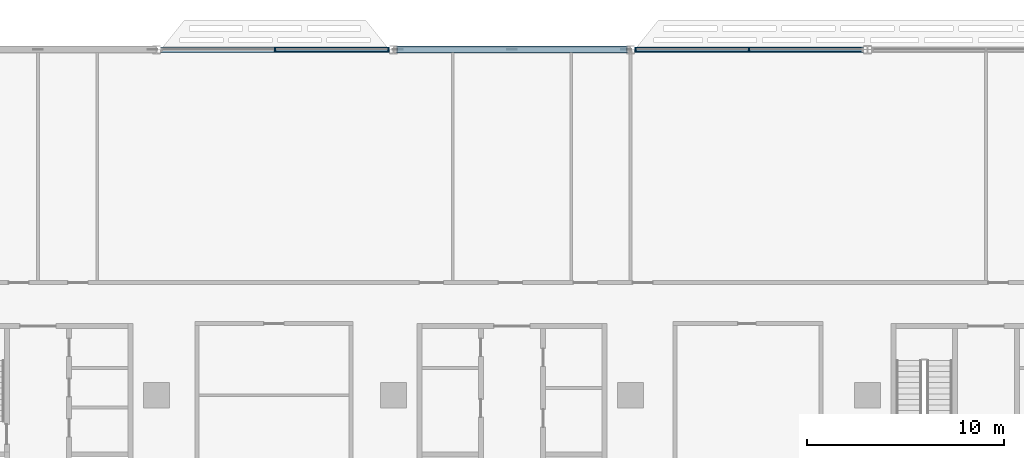
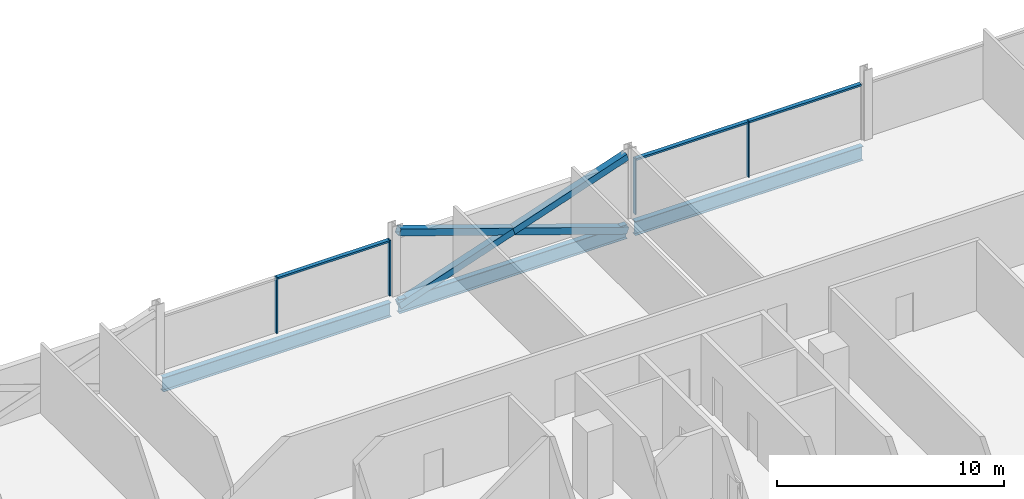
# One storey, part 7 of 29: 10 members, 3 beams, 2 elements without a shape of their own.
"""IFC4 building model written with IfcOpenShell, lengths in metres."""

import ifcopenshell
import ifcopenshell.guid

model = None  # the IFC model being written
_history = None  # IfcOwnerHistory: only IFC2X3 demands one
_inside = {}  # id of a spatial element -> (the spatial element, [elements in it])
_under = {}  # id of a project, library or spatial element -> (it, [spatial elements below it])
_declared = {}  # id of a project -> (the project, [libraries it declares])
_typed = {}  # id of a type object -> (the type object, [elements of that type])
_made_of = {}  # id of a material, layer set ... -> (it, [elements and type objects made of it])


def new_model(schema):
    """Start an empty IFC model of exactly this schema.

    Asked for "IFC4X3", IfcOpenShell would pick the latest addendum, in which some entities
    have other attributes; the version numbers below select the first issue.
    IFC2X3 requires an IfcOwnerHistory on every rooted entity: one is made here for all.
    """
    global model, _history
    if schema == "IFC4X3":
        model = ifcopenshell.file(schema_version=(4, 3, 0, 0))
    else:
        model = ifcopenshell.file(schema=schema)
    _inside.clear()
    _under.clear()
    _declared.clear()
    _typed.clear()
    _made_of.clear()
    _history = None
    if model.schema == "IFC2X3":
        org = make("IfcOrganization", Name="unknown")
        user = make(
            "IfcPersonAndOrganization",
            ThePerson=make("IfcPerson", FamilyName="unknown"),
            TheOrganization=org,
        )
        app = make(
            "IfcApplication",
            ApplicationDeveloper=org,
            Version="unknown",
            ApplicationFullName="unknown",
            ApplicationIdentifier="unknown",
        )
        _history = make(
            "IfcOwnerHistory",
            OwningUser=user,
            OwningApplication=app,
            ChangeAction="ADDED",
            CreationDate=0,
        )
    return model


def make(cls, **values):
    """One entity of the class cls with the attributes given. An attribute that is None is left unset."""
    return model.create_entity(
        cls, **{name: value for name, value in values.items() if value is not None}
    )


def rooted(cls, **values):
    """An entity with a GlobalId (a new one), such as an element, a storey or a relation."""
    return make(cls, GlobalId=ifcopenshell.guid.new(), OwnerHistory=_history, **values)


def si_unit(unit_type, name, prefix=None):
    """IfcSIUnit, for example si_unit("LENGTHUNIT", "METRE", prefix="MILLI")."""
    return make("IfcSIUnit", UnitType=unit_type, Prefix=prefix, Name=name)


def assignment(units):
    """IfcUnitAssignment: the units of a project."""
    return None if units is None else make("IfcUnitAssignment", Units=units)


def point(xyz):
    """IfcCartesianPoint."""
    return None if xyz is None else make("IfcCartesianPoint", Coordinates=xyz)


def direction(xyz):
    """IfcDirection."""
    return None if xyz is None else make("IfcDirection", DirectionRatios=xyz)


def frame(location, z_axis=None, x_axis=None):
    """IfcAxis2Placement3D, a coordinate frame: its origin and axes. An axis left out is left unset."""
    return make(
        "IfcAxis2Placement3D",
        Location=point(location),
        Axis=direction(z_axis),
        RefDirection=direction(x_axis),
    )


def frame_2d(location, x_axis=None):
    """IfcAxis2Placement2D, a coordinate frame in the plane: its origin and x axis."""
    return make(
        "IfcAxis2Placement2D", Location=point(location), RefDirection=direction(x_axis)
    )


def origin():
    """The frame at (0, 0, 0) with its axes left unset."""
    return frame((0.0, 0.0, 0.0))


def origin_2d():
    """The frame at (0, 0) in the plane with its x axis left unset."""
    return frame_2d((0.0, 0.0))


def place(relative_to, where):
    """IfcLocalPlacement: puts the frame where relative to a parent placement (None: the world)."""
    return make(
        "IfcLocalPlacement", PlacementRelTo=relative_to, RelativePlacement=where
    )


def context(
    kind, dimensions, precision=None, world=None, true_north=None, identifier=None
):
    """IfcGeometricRepresentationContext, for example the 3D "Model" context."""
    return make(
        "IfcGeometricRepresentationContext",
        ContextIdentifier=identifier,
        ContextType=kind,
        CoordinateSpaceDimension=dimensions,
        Precision=precision,
        WorldCoordinateSystem=world,
        TrueNorth=true_north,
    )


def subcontext(parent, identifier, kind, view, scale=None):
    """IfcGeometricRepresentationSubContext, for example "Body" below "Model"."""
    return make(
        "IfcGeometricRepresentationSubContext",
        ContextIdentifier=identifier,
        ContextType=kind,
        ParentContext=parent,
        TargetScale=scale,
        TargetView=view,
    )


def project(units=None, contexts=None):
    """IfcProject with its units and contexts."""
    return rooted(
        "IfcProject",
        Name="project",
        RepresentationContexts=contexts,
        UnitsInContext=assignment(units),
    )


def spatial(cls, under=None, at=None, **own):
    """A site, building, storey or space (cls), placed at a placement, below another one or the project."""
    s = rooted(cls, ObjectPlacement=at, **own)
    if under is not None:
        _under.setdefault(under.id(), (under, []))[1].append(s)
    return s


def profile(cls, at=None, kind="AREA", **sizes):
    """A parametric profile (cls). Its sizes go by their IFC names, for example OverallWidth=200.0."""
    return make(cls, ProfileType=kind, Position=at, **sizes)


def rectangle(**sizes):
    """IfcRectangleProfileDef."""
    return profile("IfcRectangleProfileDef", **sizes)


def hollow_rectangle(**sizes):
    """IfcRectangleHollowProfileDef."""
    return profile("IfcRectangleHollowProfileDef", **sizes)


def i_section(**sizes):
    """IfcIShapeProfileDef."""
    return profile("IfcIShapeProfileDef", **sizes)


def extrude(swept, where, along, depth):
    """IfcExtrudedAreaSolid: the profile swept, set in the frame where, extruded along a direction by depth."""
    return make(
        "IfcExtrudedAreaSolid",
        SweptArea=swept,
        Position=where,
        ExtrudedDirection=direction(along),
        Depth=depth,
    )


def shape(context_of_items, identifier, shape_type, items):
    """IfcShapeRepresentation: the items that make up one representation, for example the "Body"."""
    return make(
        "IfcShapeRepresentation",
        ContextOfItems=context_of_items,
        RepresentationIdentifier=identifier,
        RepresentationType=shape_type,
        Items=items,
    )


def material(Name=None, Category=None):
    """IfcMaterial."""
    return make("IfcMaterial", Name=Name, Category=Category)


def material_profile(
    of_material, cross_section, Name=None, Category=None, Priority=None
):
    """IfcMaterialProfile: a cross section and its material."""
    return make(
        "IfcMaterialProfile",
        Name=Name,
        Material=of_material,
        Profile=cross_section,
        Priority=Priority,
        Category=Category,
    )


def profile_set(profiles, Name=None, composite=None):
    """IfcMaterialProfileSet."""
    return make(
        "IfcMaterialProfileSet",
        Name=Name,
        MaterialProfiles=profiles,
        CompositeProfile=composite,
    )


def made_of(thing, what):
    """Note that an element or type object is made of a material, layer set ...; save() writes the relation."""
    if what is not None:
        _made_of.setdefault(what.id(), (what, []))[1].append(thing)
    return thing


def type_object(cls, material=None, **own):
    """A type object (cls), such as IfcWallType, which elements share."""
    return made_of(rooted(cls, **own), material)


def element(
    cls,
    number,
    at=None,
    inside=None,
    cuts=None,
    type_object=None,
    material=None,
    context=None,
    identifier="Body",
    shape_type=None,
    held_by="IfcProductDefinitionShape",
    body=None,
    shapes=None,
    **own,
):
    """One element of the class cls, such as IfcWall. Its Tag is "e" and its number.

    at: its placement. inside: the storey or other place that contains it. cuts: it is an
    opening in that element (IfcRelVoidsElement). A single representation is given by context,
    identifier, shape_type and body (its items); several are given by shapes. held_by: the class
    of the entity that holds the representations. save() writes the other relations.
    """
    e = rooted(cls, Tag="e%d" % number, ObjectPlacement=at, **own)
    if body is not None:
        shapes = [shape(context, identifier, shape_type, body)]
    if shapes is not None:
        e.Representation = make(held_by, Representations=shapes)
    if inside is not None:
        _inside.setdefault(inside.id(), (inside, []))[1].append(e)
    if cuts is not None:
        rooted(
            "IfcRelVoidsElement", RelatingBuildingElement=cuts, RelatedOpeningElement=e
        )
    if type_object is not None:
        _typed.setdefault(type_object.id(), (type_object, []))[1].append(e)
    return made_of(e, material)


def aggregate(whole, parts):
    """IfcRelAggregates: a whole, such as a stair, and the parts it consists of."""
    return rooted("IfcRelAggregates", RelatingObject=whole, RelatedObjects=parts)


def save(model, path):
    """Write the relations noted so far, then the file.

    IfcRelAggregates (storeys below a building ...), IfcRelContainedInSpatialStructure (elements
    in a storey), IfcRelDefinesByType, IfcRelAssociatesMaterial and IfcRelDeclares: one each for
    every whole, place, type object, material and project.
    """
    for whole, parts in _under.values():
        aggregate(whole, parts)
    for where, things in _inside.values():
        rooted(
            "IfcRelContainedInSpatialStructure",
            RelatedElements=things,
            RelatingStructure=where,
        )
    for kind, things in _typed.values():
        rooted("IfcRelDefinesByType", RelatedObjects=things, RelatingType=kind)
    for what, things in _made_of.values():
        rooted("IfcRelAssociatesMaterial", RelatedObjects=things, RelatingMaterial=what)
    for by, libraries in _declared.values():
        rooted("IfcRelDeclares", RelatingContext=by, RelatedDefinitions=libraries)
    model.write(path)


model = new_model("IFC4")

# Units and contexts
model_context = context("Model", 3, precision=1e-05, world=origin(), true_north=direction((0.0, 1.0)))
body_context = subcontext(model_context, "Body", "Model", "MODEL_VIEW")
ifc_project = project(units=[si_unit("LENGTHUNIT", "METRE"), si_unit("AREAUNIT", "SQUARE_METRE"), si_unit("VOLUMEUNIT", "CUBIC_METRE"), si_unit("PLANEANGLEUNIT", "RADIAN"), si_unit("MASSUNIT", "GRAM", prefix="KILO")], contexts=[model_context])

# Site, building, storey
site_placement = place(None, origin())
site = spatial("IfcSite", under=ifc_project, at=site_placement, CompositionType="ELEMENT")
building_placement = place(site_placement, origin())
building = spatial("IfcBuilding", under=site, at=building_placement, Name="Mahtab Terrace Research Tower", CompositionType="ELEMENT")
storey_placement = place(building_placement, frame((0.0, 0.0, 146.60009765625)))
storey = spatial("IfcBuildingStorey", under=building, at=storey_placement, Name="L34", CompositionType="ELEMENT", Elevation=146.60009765625)

# Members
ifc_material_1 = material(Name="Steel ASTM A500 Gr C", Category="steel")
ifc_material_profile_1 = material_profile(ifc_material_1, hollow_rectangle(XDim=0.355712890625, YDim=0.355712890625, WallThickness=0.01904296875, at=origin_2d()), Name="HSS14X14X3/4")
ifc_profile_set_1 = profile_set([ifc_material_profile_1], Name="Steel ASTM A500 Gr C")
member_type_1 = type_object("IfcMemberType", Name="HSS 14x14x3/4 brace XB141434", PredefinedType="BRACE", material=ifc_profile_set_1)
member_1_placement = place(storey_placement, frame((5.794189453125, 29.0, -0.648193359375), z_axis=(-0.946294377485, 0.0, 0.323306280699), x_axis=(0.0, -1.0, 0.0)))
element("IfcMember", 1, at=member_1_placement, inside=storey, type_object=member_type_1, Name="Exoskeleton brace L34 04 a", PredefinedType="BRACE", context=body_context, shape_type="SweptSolid", body=[
    extrude(hollow_rectangle(XDim=0.355712890625, YDim=0.355712890625, WallThickness=0.01904296875, at=origin_2d()), origin(), (0.0, 0.0, 1.0), 12.24609375),
])
for number, where, z_axis, x_axis, name in (
    (2, (-5.794189453125, 29.0, -0.648193359375), (0.946288278, 0.0, 0.323324132908), (0.0, 1.0, 0.0), "Exoskeleton brace L34 04 b1"),
    (3, (0.0, 29.0, 1.33154296875), (0.946300476713, 0.0, 0.323288428146), (0.0, 1.0, 0.0), "Exoskeleton brace L34 04 b2"),
):
    element("IfcMember", number, at=place(storey_placement, frame(where, z_axis=z_axis, x_axis=x_axis)), inside=storey, type_object=member_type_1, Name=name, PredefinedType="BRACE", context=body_context, shape_type="SweptSolid", body=[
        extrude(hollow_rectangle(XDim=0.355712890625, YDim=0.355712890625, WallThickness=0.01904296875, at=origin_2d()), origin(), (0.0, 0.0, 1.0), 6.123046875),
    ])

# Curtain wall, members
ifc_material_2 = material(Name="Laboratory ribbon curtain wall")
curtain_wall_type = type_object("IfcCurtainWallType", Name="Laboratory ribbon curtain wall", PredefinedType="NOTDEFINED", material=ifc_material_2)
curtain_wall_1_placement = place(storey_placement, origin())
curtain_wall_1 = element("IfcCurtainWall", 4, at=curtain_wall_1_placement, inside=storey, type_object=curtain_wall_type, Name="EN.L34.3.5", PredefinedType="NOTDEFINED")
ifc_material_3 = material(Name="Natural anodised aluminium", Category="aluminium")
ifc_material_profile_2 = material_profile(ifc_material_3, rectangle(XDim=0.199951171875, YDim=0.06494140625, at=origin_2d()), Name="MULLION 65x200")
ifc_profile_set_2 = profile_set([ifc_material_profile_2], Name="Natural anodised aluminium")
member_type_2 = type_object("IfcMemberType", Name="Laboratory ribbon curtain wall mullion", PredefinedType="MULLION", material=ifc_profile_set_2)
member_2_placement = place(storey_placement, frame((12.0, 29.0, 0.0), z_axis=(0.0, 0.0, 1.0), x_axis=(0.0, -1.0, 0.0)))
member_2 = element("IfcMember", 5, at=member_2_placement, type_object=member_type_2, Name="CWL-4 mullion 2", PredefinedType="MULLION", context=body_context, shape_type="SweptSolid", body=[
    extrude(rectangle(XDim=0.199951171875, YDim=0.06494140625, at=origin_2d()), origin(), (0.0, 0.0, 1.0), 3.0029296875),
])
member_3_placement = place(storey_placement, frame((6.25048828125, 29.0, 0.0), z_axis=(0.0, 0.0, 1.0), x_axis=(0.0, -1.0, 0.0)))
member_3 = element("IfcMember", 6, at=member_3_placement, type_object=member_type_2, Name="CWL-4 mullion 3", PredefinedType="MULLION", context=body_context, shape_type="SweptSolid", body=[
    extrude(rectangle(XDim=0.199951171875, YDim=0.06494140625, at=origin_2d()), origin(), (0.0, 0.0, 1.0), 3.0029296875),
])

curtain_wall_2_placement = place(storey_placement, origin())
curtain_wall_2 = element("IfcCurtainWall", 7, at=curtain_wall_2_placement, inside=storey, type_object=curtain_wall_type, Name="EN.L34.3.7", PredefinedType="NOTDEFINED")
member_4_placement = place(storey_placement, frame((-6.25048828125, 29.0, 0.0), z_axis=(0.0, 0.0, 1.0), x_axis=(0.0, -1.0, 0.0)))
member_4 = element("IfcMember", 8, at=member_4_placement, type_object=member_type_2, Name="CWL-4 mullion 1", PredefinedType="MULLION", context=body_context, shape_type="SweptSolid", body=[
    extrude(rectangle(XDim=0.199951171875, YDim=0.06494140625, at=origin_2d()), origin(), (0.0, 0.0, 1.0), 3.0029296875),
])
member_5_placement = place(storey_placement, frame((-12.0, 29.0, 0.0), z_axis=(0.0, 0.0, 1.0), x_axis=(0.0, -1.0, 0.0)))
member_5 = element("IfcMember", 9, at=member_5_placement, type_object=member_type_2, Name="CWL-4 mullion 2", PredefinedType="MULLION", context=body_context, shape_type="SweptSolid", body=[
    extrude(rectangle(XDim=0.199951171875, YDim=0.06494140625, at=origin_2d()), origin(), (0.0, 0.0, 1.0), 3.0029296875),
])

# Member
ifc_material_profile_3 = material_profile(ifc_material_3, rectangle(XDim=0.199951171875, YDim=0.10009765625, at=origin_2d()), Name="TRANSOM 100x200")
ifc_profile_set_3 = profile_set([ifc_material_profile_3], Name="Natural anodised aluminium")
member_type_3 = type_object("IfcMemberType", Name="Laboratory ribbon curtain wall transom", PredefinedType="USERDEFINED", material=ifc_profile_set_3)
member_6_placement = place(storey_placement, frame((17.717041015625, 29.0, 2.952880859375), z_axis=(-1.0, 0.0, 0.0), x_axis=(0.0, -1.0, 0.0)))
member_6 = element("IfcMember", 10, at=member_6_placement, type_object=member_type_3, Name="CWL-4 transom 1", ObjectType="TRANSOM", PredefinedType="USERDEFINED", context=body_context, shape_type="SweptSolid", body=[
    extrude(rectangle(XDim=0.199951171875, YDim=0.10009765625, at=origin_2d()), origin(), (0.0, 0.0, 1.0), 5.6845703125),
])

member_7_placement = place(storey_placement, frame((11.967529296875, 29.0, 2.952880859375), z_axis=(-1.0, 0.0, 0.0), x_axis=(0.0, -1.0, 0.0)))
member_7 = element("IfcMember", 11, at=member_7_placement, type_object=member_type_3, Name="CWL-4 transom 2", ObjectType="TRANSOM", PredefinedType="USERDEFINED", context=body_context, shape_type="SweptSolid", body=[
    extrude(rectangle(XDim=0.199951171875, YDim=0.10009765625, at=origin_2d()), origin(), (0.0, 0.0, 1.0), 5.6845703125),
])

aggregate(curtain_wall_1, [member_2, member_3, member_6, member_7])

member_8_placement = place(storey_placement, frame((-6.282958984375, 29.0, 2.952880859375), z_axis=(-1.0, 0.0, 0.0), x_axis=(0.0, -1.0, 0.0)))
member_8 = element("IfcMember", 12, at=member_8_placement, type_object=member_type_3, Name="CWL-4 transom 1", ObjectType="TRANSOM", PredefinedType="USERDEFINED", context=body_context, shape_type="SweptSolid", body=[
    extrude(rectangle(XDim=0.199951171875, YDim=0.10009765625, at=origin_2d()), origin(), (0.0, 0.0, 1.0), 5.6845703125),
])

aggregate(curtain_wall_2, [member_4, member_5, member_8])

# Beams
ifc_material_4 = material(Name="Steel ASTM A992 Gr 50", Category="steel")
ifc_material_profile_4 = material_profile(ifc_material_4, i_section(OverallWidth=0.2666015625, OverallDepth=0.7568359375, WebThickness=0.013916015625, FlangeThickness=0.019287109375, at=origin_2d()), Name="W30X108")
ifc_profile_set_4 = profile_set([ifc_material_profile_4], Name="Steel ASTM A992 Gr 50")
beam_type = type_object("IfcBeamType", Name="W30x108 beam BS30108", PredefinedType="BEAM", material=ifc_profile_set_4)
for number, where, z_axis, x_axis, name in (
    (13, (17.794189453125, 29.0, -0.718505859375), (-1.0, 0.0, 0.0), (0.0, -1.0, 0.0), "Spandrel beam L34 03"),
    (14, (5.794189453125, 29.0, -0.718505859375), (-1.0, 0.0, 0.0), (0.0, -1.0, 0.0), "Spandrel beam L34 04"),
    (15, (-6.205810546875, 29.0, -0.718505859375), (-1.0, 0.0, 0.0), (0.0, -1.0, 0.0), "Spandrel beam L34 05"),
):
    element("IfcBeam", number, at=place(storey_placement, frame(where, z_axis=z_axis, x_axis=x_axis)), inside=storey, type_object=beam_type, Name=name, PredefinedType="BEAM", context=body_context, shape_type="SweptSolid", body=[
        extrude(i_section(OverallWidth=0.2666015625, OverallDepth=0.7568359375, WebThickness=0.013916015625, FlangeThickness=0.019287109375, at=origin_2d()), origin(), (0.0, 0.0, 1.0), 11.58837890625),
    ])

save(model, "model.ifc")
